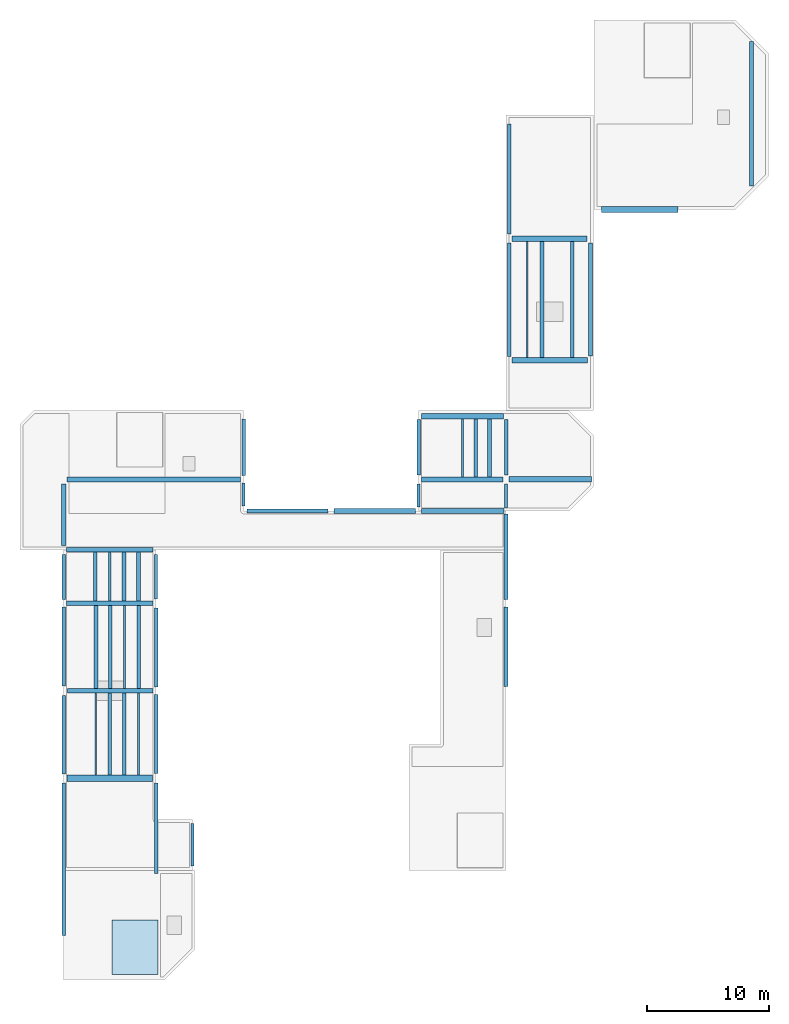
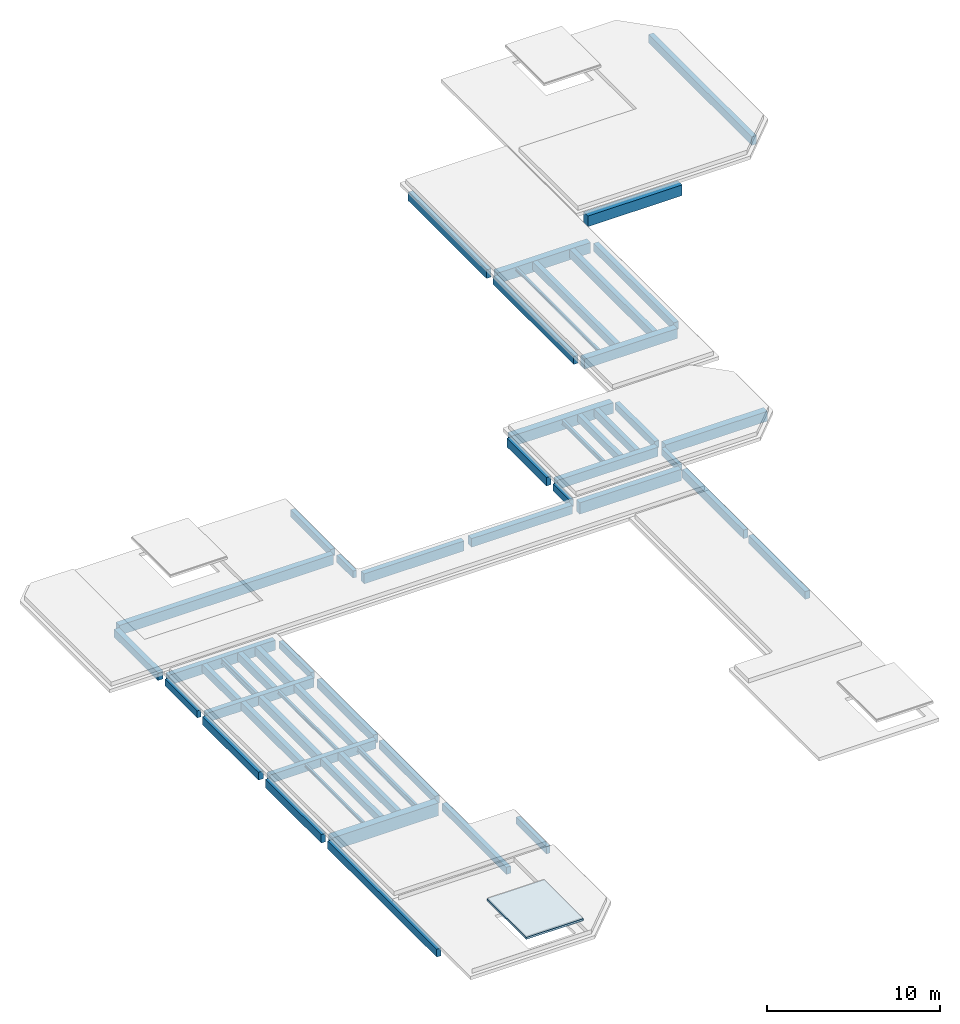
# One storey, part 1 of 3: 54 beams, 1 slab.
"""IFC4 building model written with IfcOpenShell, lengths in metres."""

from ifc_helpers import new_model, si_unit, direction, frame, origin, origin_2d, place, context, subcontext, project, spatial, polyline, rectangle, i_section, outline, extrude, material, layer, layer_set, material_profile, profile_set, type_object, element, save


model = new_model("IFC4")

# Units and contexts
model_context = context("Model", 3, precision=1e-05, world=origin(), true_north=direction((0.0, 1.0)))
body_context = subcontext(model_context, "Body", "Model", "MODEL_VIEW")
ifc_project = project(units=[si_unit("LENGTHUNIT", "METRE"), si_unit("AREAUNIT", "SQUARE_METRE"), si_unit("VOLUMEUNIT", "CUBIC_METRE"), si_unit("PLANEANGLEUNIT", "RADIAN"), si_unit("MASSUNIT", "GRAM", prefix="KILO")], contexts=[model_context])

# Site, building, storey
site_placement = place(None, origin())
site = spatial("IfcSite", under=ifc_project, at=site_placement, CompositionType="ELEMENT")
building_placement = place(site_placement, origin())
building = spatial("IfcBuilding", under=site, at=building_placement, Name="Kelanivale Promenade Academy", CompositionType="ELEMENT")
storey_placement = place(building_placement, frame((0.0, 0.0, 24.199951171875)))
storey = spatial("IfcBuildingStorey", under=building, at=storey_placement, Name="RF", CompositionType="ELEMENT", Elevation=24.199951171875)

# Beams
ifc_material_1 = material(Name="Concrete C35/45", Category="concrete")
ifc_material_profile_1 = material_profile(ifc_material_1, rectangle(XDim=0.39990234375, YDim=0.64990234375, at=origin_2d()), Name="RC-BM 400x650")
ifc_profile_set_1 = profile_set([ifc_material_profile_1], Name="Concrete C35/45")
beam_type_1 = type_object("IfcBeamType", Name="BM-01 RC-BM 400x650", PredefinedType="BEAM", material=ifc_profile_set_1)
beam_1_placement = place(storey_placement, frame((108.64501953125, 74.199951171875, -0.56494140625), z_axis=(1.0, 0.0, 0.0), x_axis=(0.0, 1.0, 0.0)))
element("IfcBeam", 1, at=beam_1_placement, inside=storey, type_object=beam_type_1, Name="RF girder BM-01", PredefinedType="BEAM", context=body_context, shape_type="SweptSolid", body=[
    extrude(rectangle(XDim=0.39990234375, YDim=0.64990234375, at=origin_2d()), origin(), (0.0, 0.0, 1.0), 6.7099609375),
])
ifc_material_profile_2 = material_profile(ifc_material_1, rectangle(XDim=0.39990234375, YDim=0.699951171875, at=origin_2d()), Name="RC-BM 400x700")
ifc_profile_set_2 = profile_set([ifc_material_profile_2], Name="Concrete C35/45")
beam_type_2 = type_object("IfcBeamType", Name="BM-02 RC-BM 400x700", PredefinedType="BEAM", material=ifc_profile_set_2)
beam_2_placement = place(storey_placement, frame((79.469970703125, 74.199951171875, -0.58984375), z_axis=(1.0, 0.0, 0.0), x_axis=(0.0, 1.0, 0.0)))
element("IfcBeam", 2, at=beam_2_placement, inside=storey, type_object=beam_type_2, Name="RF girder BM-02", PredefinedType="BEAM", context=body_context, shape_type="SweptSolid", body=[
    extrude(rectangle(XDim=0.39990234375, YDim=0.699951171875, at=origin_2d()), origin(), (0.0, 0.0, 1.0), 14.284912109375),
])
ifc_material_profile_3 = material_profile(ifc_material_1, rectangle(XDim=0.449951171875, YDim=0.699951171875, at=origin_2d()), Name="RC-BM 450x700")
ifc_profile_set_3 = profile_set([ifc_material_profile_3], Name="Concrete C35/45")
beam_type_3 = type_object("IfcBeamType", Name="BM-03 RC-BM 450x700", PredefinedType="BEAM", material=ifc_profile_set_3)
beam_3_placement = place(storey_placement, frame((115.844970703125, 74.199951171875, -0.58984375), z_axis=(1.0, 0.0, 0.0), x_axis=(0.0, 1.0, 0.0)))
element("IfcBeam", 3, at=beam_3_placement, inside=storey, type_object=beam_type_3, Name="RF girder BM-03", PredefinedType="BEAM", context=body_context, shape_type="SweptSolid", body=[
    extrude(rectangle(XDim=0.449951171875, YDim=0.699951171875, at=origin_2d()), origin(), (0.0, 0.0, 1.0), 6.784912109375),
])
beam_4_placement = place(storey_placement, frame((116.094970703125, 84.0, -0.58984375), z_axis=(1.0, 0.0, 0.0), x_axis=(0.0, 1.0, 0.0)))
element("IfcBeam", 4, at=beam_4_placement, inside=storey, type_object=beam_type_3, Name="RF girder BM-03", PredefinedType="BEAM", context=body_context, shape_type="SweptSolid", body=[
    extrude(rectangle(XDim=0.449951171875, YDim=0.699951171875, at=origin_2d()), origin(), (0.0, 0.0, 1.0), 6.2099609375),
])
ifc_material_profile_4 = material_profile(ifc_material_1, rectangle(XDim=0.449951171875, YDim=0.75, at=origin_2d()), Name="RC-BM 450x750")
ifc_profile_set_4 = profile_set([ifc_material_profile_4], Name="Concrete C35/45")
beam_type_4 = type_object("IfcBeamType", Name="BM-04 RC-BM 450x750", PredefinedType="BEAM", material=ifc_profile_set_4)
beam_5_placement = place(storey_placement, frame((108.6201171875, 79.39990234375, -0.614990234375), z_axis=(1.0, 0.0, 0.0), x_axis=(0.0, 1.0, 0.0)))
element("IfcBeam", 5, at=beam_5_placement, inside=storey, type_object=beam_type_4, Name="RF girder BM-04", PredefinedType="BEAM", context=body_context, shape_type="SweptSolid", body=[
    extrude(rectangle(XDim=0.449951171875, YDim=0.75, at=origin_2d()), origin(), (0.0, 0.0, 1.0), 6.759765625),
])
beam_6_placement = place(storey_placement, frame((116.094970703125, 94.0, -0.614990234375), z_axis=(1.0, 0.0, 0.0), x_axis=(0.0, 1.0, 0.0)))
element("IfcBeam", 6, at=beam_6_placement, inside=storey, type_object=beam_type_4, Name="RF girder BM-04", PredefinedType="BEAM", context=body_context, shape_type="SweptSolid", body=[
    extrude(rectangle(XDim=0.449951171875, YDim=0.75, at=origin_2d()), origin(), (0.0, 0.0, 1.0), 6.18505859375),
])
ifc_material_profile_5 = material_profile(ifc_material_1, rectangle(XDim=0.5, YDim=0.75, at=origin_2d()), Name="RC-BM 500x750")
ifc_profile_set_5 = profile_set([ifc_material_profile_5], Name="Concrete C35/45")
beam_type_5 = type_object("IfcBeamType", Name="BM-06 RC-BM 500x750", PredefinedType="BEAM", material=ifc_profile_set_5)
beam_7_placement = place(storey_placement, frame((123.471923828125, 96.39990234375, -0.614990234375), z_axis=(1.0, 0.0, 0.0), x_axis=(0.0, 1.0, 0.0)))
element("IfcBeam", 7, at=beam_7_placement, inside=storey, type_object=beam_type_5, Name="RF girder BM-06", PredefinedType="BEAM", context=body_context, shape_type="SweptSolid", body=[
    extrude(rectangle(XDim=0.5, YDim=0.75, at=origin_2d()), origin(), (0.0, 0.0, 1.0), 6.282958984375),
])
ifc_material_profile_6 = material_profile(ifc_material_1, rectangle(XDim=0.5, YDim=0.89990234375, at=origin_2d()), Name="RC-BM 500x900")
ifc_profile_set_6 = profile_set([ifc_material_profile_6], Name="Concrete C35/45")
beam_type_6 = type_object("IfcBeamType", Name="BM-08 RC-BM 500x900", PredefinedType="BEAM", material=ifc_profile_set_6)
beam_8_placement = place(storey_placement, frame((79.469970703125, 49.60009765625, -0.68994140625), z_axis=(1.0, 0.0, 0.0), x_axis=(0.0, 1.0, 0.0)))
element("IfcBeam", 8, at=beam_8_placement, inside=storey, type_object=beam_type_6, Name="RF girder BM-08", PredefinedType="BEAM", context=body_context, shape_type="SweptSolid", body=[
    extrude(rectangle(XDim=0.5, YDim=0.89990234375, at=origin_2d()), origin(), (0.0, 0.0, 1.0), 7.034912109375),
])
ifc_material_profile_7 = material_profile(ifc_material_1, rectangle(XDim=0.35009765625, YDim=0.60009765625, at=origin_2d()), Name="RC-BM 350x600")
ifc_profile_set_7 = profile_set([ifc_material_profile_7], Name="Concrete C35/45")
beam_type_7 = type_object("IfcBeamType", Name="BM-09 RC-BM 350x600", PredefinedType="BEAM", material=ifc_profile_set_7)
beam_9_placement = place(storey_placement, frame((79.4951171875, 56.800048828125, -0.5400390625), z_axis=(1.0, 0.0, 0.0), x_axis=(0.0, 1.0, 0.0)))
element("IfcBeam", 9, at=beam_9_placement, inside=storey, type_object=beam_type_7, Name="RF girder BM-09", PredefinedType="BEAM", context=body_context, shape_type="SweptSolid", body=[
    extrude(rectangle(XDim=0.35009765625, YDim=0.60009765625, at=origin_2d()), origin(), (0.0, 0.0, 1.0), 7.059814453125),
])
ifc_material_profile_8 = material_profile(ifc_material_1, rectangle(XDim=0.35009765625, YDim=0.64990234375, at=origin_2d()), Name="RC-BM 350x650")
ifc_profile_set_8 = profile_set([ifc_material_profile_8], Name="Concrete C35/45")
beam_type_8 = type_object("IfcBeamType", Name="BM-10 RC-BM 350x650", PredefinedType="BEAM", material=ifc_profile_set_8)
beam_10_placement = place(storey_placement, frame((79.445068359375, 64.0, -0.56494140625), z_axis=(1.0, 0.0, 0.0), x_axis=(0.0, 1.0, 0.0)))
element("IfcBeam", 10, at=beam_10_placement, inside=storey, type_object=beam_type_8, Name="RF girder BM-10", PredefinedType="BEAM", context=body_context, shape_type="SweptSolid", body=[
    extrude(rectangle(XDim=0.35009765625, YDim=0.64990234375, at=origin_2d()), origin(), (0.0, 0.0, 1.0), 7.10986328125),
])
ifc_material_profile_9 = material_profile(ifc_material_1, rectangle(XDim=0.35009765625, YDim=0.699951171875, at=origin_2d()), Name="RC-BM 350x700")
ifc_profile_set_9 = profile_set([ifc_material_profile_9], Name="Concrete C35/45")
beam_type_9 = type_object("IfcBeamType", Name="BM-11 RC-BM 350x700", PredefinedType="BEAM", material=ifc_profile_set_9)
beam_11_placement = place(storey_placement, frame((79.445068359375, 68.39990234375, -0.58984375), z_axis=(1.0, 0.0, 0.0), x_axis=(0.0, 1.0, 0.0)))
element("IfcBeam", 11, at=beam_11_placement, inside=storey, type_object=beam_type_9, Name="RF girder BM-11", PredefinedType="BEAM", context=body_context, shape_type="SweptSolid", body=[
    extrude(rectangle(XDim=0.35009765625, YDim=0.699951171875, at=origin_2d()), origin(), (0.0, 0.0, 1.0), 7.0849609375),
])
beam_12_placement = place(storey_placement, frame((94.294921875, 71.60009765625, -0.58984375), z_axis=(1.0, 0.0, 0.0), x_axis=(0.0, 1.0, 0.0)))
element("IfcBeam", 12, at=beam_12_placement, inside=storey, type_object=beam_type_9, Name="RF girder BM-11", PredefinedType="BEAM", context=body_context, shape_type="SweptSolid", body=[
    extrude(rectangle(XDim=0.35009765625, YDim=0.699951171875, at=origin_2d()), origin(), (0.0, 0.0, 1.0), 6.66015625),
])
ifc_material_profile_10 = material_profile(ifc_material_1, rectangle(XDim=0.39990234375, YDim=0.60009765625, at=origin_2d()), Name="RC-BM 400x600")
ifc_profile_set_10 = profile_set([ifc_material_profile_10], Name="Concrete C35/45")
beam_type_10 = type_object("IfcBeamType", Name="BM-12 RC-BM 400x600", PredefinedType="BEAM", material=ifc_profile_set_10)
beam_13_placement = place(storey_placement, frame((101.445068359375, 71.60009765625, -0.5400390625), z_axis=(1.0, 0.0, 0.0), x_axis=(0.0, 1.0, 0.0)))
element("IfcBeam", 13, at=beam_13_placement, inside=storey, type_object=beam_type_10, Name="RF girder BM-12", PredefinedType="BEAM", context=body_context, shape_type="SweptSolid", body=[
    extrude(rectangle(XDim=0.39990234375, YDim=0.60009765625, at=origin_2d()), origin(), (0.0, 0.0, 1.0), 6.7099609375),
])
ifc_material_profile_11 = material_profile(ifc_material_1, rectangle(XDim=0.39990234375, YDim=0.800048828125, at=origin_2d()), Name="RC-BM 400x800")
ifc_profile_set_11 = profile_set([ifc_material_profile_11], Name="Concrete C35/45")
beam_type_11 = type_object("IfcBeamType", Name="BM-14 RC-BM 400x800", PredefinedType="BEAM", material=ifc_profile_set_11)
beam_14_placement = place(storey_placement, frame((108.64501953125, 71.60009765625, -0.639892578125), z_axis=(1.0, 0.0, 0.0), x_axis=(0.0, 1.0, 0.0)))
element("IfcBeam", 14, at=beam_14_placement, inside=storey, type_object=beam_type_11, Name="RF girder BM-14", PredefinedType="BEAM", context=body_context, shape_type="SweptSolid", body=[
    extrude(rectangle(XDim=0.39990234375, YDim=0.800048828125, at=origin_2d()), origin(), (0.0, 0.0, 1.0), 6.784912109375),
])
ifc_material_profile_12 = material_profile(ifc_material_1, rectangle(XDim=0.300048828125, YDim=0.5, at=origin_2d()), Name="RC-BM 300x500")
ifc_profile_set_12 = profile_set([ifc_material_profile_12], Name="Concrete C35/45")
beam_type_12 = type_object("IfcBeamType", Name="JS-01 RC-BM 300x500", PredefinedType="JOIST", material=ifc_profile_set_12)
beam_15_placement = place(storey_placement, frame((86.800048828125, 41.77001953125, -0.489990234375), z_axis=(0.0, 1.0, 0.0), x_axis=(-1.0, 0.0, 0.0)))
element("IfcBeam", 15, at=beam_15_placement, inside=storey, type_object=beam_type_12, Name="RF beam JS-01", PredefinedType="JOIST", context=body_context, shape_type="SweptSolid", body=[
    extrude(rectangle(XDim=0.300048828125, YDim=0.5, at=origin_2d()), origin(), (0.0, 0.0, 1.0), 7.43505859375),
])
beam_16_placement = place(storey_placement, frame((94.0, 74.52001953125, -0.489990234375), z_axis=(0.0, 1.0, 0.0), x_axis=(-1.0, 0.0, 0.0)))
element("IfcBeam", 16, at=beam_16_placement, inside=storey, type_object=beam_type_12, Name="RF beam JS-01", PredefinedType="JOIST", context=body_context, shape_type="SweptSolid", body=[
    extrude(rectangle(XDim=0.300048828125, YDim=0.5, at=origin_2d()), origin(), (0.0, 0.0, 1.0), 4.635009765625),
])
beam_17_placement = place(storey_placement, frame((115.60009765625, 74.570068359375, -0.489990234375), z_axis=(0.0, 1.0, 0.0), x_axis=(-1.0, 0.0, 0.0)))
element("IfcBeam", 17, at=beam_17_placement, inside=storey, type_object=beam_type_12, Name="RF beam JS-01", PredefinedType="JOIST", context=body_context, shape_type="SweptSolid", body=[
    extrude(rectangle(XDim=0.300048828125, YDim=0.5, at=origin_2d()), origin(), (0.0, 0.0, 1.0), 4.559814453125),
])
beam_18_placement = place(storey_placement, frame((83.0, 49.85009765625, -0.489990234375), z_axis=(0.0, 1.0, 0.0), x_axis=(-1.0, 0.0, 0.0)))
element("IfcBeam", 18, at=beam_18_placement, inside=storey, type_object=beam_type_12, Name="RF secondary sub-beam JS-01", PredefinedType="JOIST", context=body_context, shape_type="SweptSolid", body=[
    extrude(rectangle(XDim=0.300048828125, YDim=0.5, at=origin_2d()), origin(), (0.0, 0.0, 1.0), 6.77490234375),
])
beam_19_placement = place(storey_placement, frame((85.3779296875, 56.97509765625, -0.489990234375), z_axis=(0.0, 1.0, 0.0), x_axis=(-1.0, 0.0, 0.0)))
element("IfcBeam", 19, at=beam_19_placement, inside=storey, type_object=beam_type_12, Name="RF secondary sub-beam JS-01", PredefinedType="JOIST", context=body_context, shape_type="SweptSolid", body=[
    extrude(rectangle(XDim=0.300048828125, YDim=0.5, at=origin_2d()), origin(), (0.0, 0.0, 1.0), 6.849853515625),
])
beam_20_placement = place(storey_placement, frame((113.117919921875, 74.39990234375, -0.489990234375), z_axis=(0.0, 1.0, 0.0), x_axis=(-1.0, 0.0, 0.0)))
element("IfcBeam", 20, at=beam_20_placement, inside=storey, type_object=beam_type_12, Name="RF secondary sub-beam JS-01", PredefinedType="JOIST", context=body_context, shape_type="SweptSolid", body=[
    extrude(rectangle(XDim=0.300048828125, YDim=0.5, at=origin_2d()), origin(), (0.0, 0.0, 1.0), 4.775146484375),
])
ifc_material_profile_13 = material_profile(ifc_material_1, rectangle(XDim=0.300048828125, YDim=0.550048828125, at=origin_2d()), Name="RC-BM 300x550")
ifc_profile_set_13 = profile_set([ifc_material_profile_13], Name="Concrete C35/45")
beam_type_13 = type_object("IfcBeamType", Name="JS-02 RC-BM 300x550", PredefinedType="JOIST", material=ifc_profile_set_13)
beam_21_placement = place(storey_placement, frame((79.199951171875, 36.64501953125, -0.514892578125), z_axis=(0.0, 1.0, 0.0), x_axis=(-1.0, 0.0, 0.0)))
element("IfcBeam", 21, at=beam_21_placement, inside=storey, type_object=beam_type_13, Name="RF beam JS-02", PredefinedType="JOIST", context=body_context, shape_type="SweptSolid", body=[
    extrude(rectangle(XDim=0.300048828125, YDim=0.550048828125, at=origin_2d()), origin(), (0.0, 0.0, 1.0), 12.5849609375),
])
beam_22_placement = place(storey_placement, frame((86.800048828125, 49.9951171875, -0.514892578125), z_axis=(0.0, 1.0, 0.0), x_axis=(-1.0, 0.0, 0.0)))
element("IfcBeam", 22, at=beam_22_placement, inside=storey, type_object=beam_type_13, Name="RF beam JS-02", PredefinedType="JOIST", context=body_context, shape_type="SweptSolid", body=[
    extrude(rectangle(XDim=0.300048828125, YDim=0.550048828125, at=origin_2d()), origin(), (0.0, 0.0, 1.0), 6.48486328125),
])
beam_23_placement = place(storey_placement, frame((115.85009765625, 84.320068359375, -0.514892578125), z_axis=(0.0, 1.0, 0.0), x_axis=(-1.0, 0.0, 0.0)))
element("IfcBeam", 23, at=beam_23_placement, inside=storey, type_object=beam_type_13, Name="RF beam JS-02", PredefinedType="JOIST", context=body_context, shape_type="SweptSolid", body=[
    extrude(rectangle(XDim=0.300048828125, YDim=0.550048828125, at=origin_2d()), origin(), (0.0, 0.0, 1.0), 9.309814453125),
])
beam_24_placement = place(storey_placement, frame((84.16796875, 49.85009765625, -0.514892578125), z_axis=(0.0, 1.0, 0.0), x_axis=(-1.0, 0.0, 0.0)))
element("IfcBeam", 24, at=beam_24_placement, inside=storey, type_object=beam_type_13, Name="RF secondary sub-beam JS-02", PredefinedType="JOIST", context=body_context, shape_type="SweptSolid", body=[
    extrude(rectangle(XDim=0.300048828125, YDim=0.550048828125, at=origin_2d()), origin(), (0.0, 0.0, 1.0), 6.77490234375),
])
beam_25_placement = place(storey_placement, frame((81.806884765625, 64.175048828125, -0.514892578125), z_axis=(0.0, 1.0, 0.0), x_axis=(-1.0, 0.0, 0.0)))
element("IfcBeam", 25, at=beam_25_placement, inside=storey, type_object=beam_type_13, Name="RF secondary sub-beam JS-02", PredefinedType="JOIST", context=body_context, shape_type="SweptSolid", body=[
    extrude(rectangle(XDim=0.300048828125, YDim=0.550048828125, at=origin_2d()), origin(), (0.0, 0.0, 1.0), 4.050048828125),
])
beam_26_placement = place(storey_placement, frame((114.237060546875, 74.39990234375, -0.514892578125), z_axis=(0.0, 1.0, 0.0), x_axis=(-1.0, 0.0, 0.0)))
element("IfcBeam", 26, at=beam_26_placement, inside=storey, type_object=beam_type_13, Name="RF secondary sub-beam JS-02", PredefinedType="JOIST", context=body_context, shape_type="SweptSolid", body=[
    extrude(rectangle(XDim=0.300048828125, YDim=0.550048828125, at=origin_2d()), origin(), (0.0, 0.0, 1.0), 4.775146484375),
])
ifc_material_profile_14 = material_profile(ifc_material_1, rectangle(XDim=0.300048828125, YDim=0.60009765625, at=origin_2d()), Name="RC-BM 300x600")
ifc_profile_set_14 = profile_set([ifc_material_profile_14], Name="Concrete C35/45")
beam_type_14 = type_object("IfcBeamType", Name="JS-03 RC-BM 300x600", PredefinedType="JOIST", material=ifc_profile_set_14)
beam_27_placement = place(storey_placement, frame((79.199951171875, 49.969970703125, -0.5400390625), z_axis=(0.0, 1.0, 0.0), x_axis=(-1.0, 0.0, 0.0)))
element("IfcBeam", 27, at=beam_27_placement, inside=storey, type_object=beam_type_14, Name="RF beam JS-03", PredefinedType="JOIST", context=body_context, shape_type="SweptSolid", body=[
    extrude(rectangle(XDim=0.300048828125, YDim=0.60009765625, at=origin_2d()), origin(), (0.0, 0.0, 1.0), 6.43505859375),
])
beam_28_placement = place(storey_placement, frame((86.800048828125, 57.1201171875, -0.5400390625), z_axis=(0.0, 1.0, 0.0), x_axis=(-1.0, 0.0, 0.0)))
element("IfcBeam", 28, at=beam_28_placement, inside=storey, type_object=beam_type_14, Name="RF beam JS-03", PredefinedType="JOIST", context=body_context, shape_type="SweptSolid", body=[
    extrude(rectangle(XDim=0.300048828125, YDim=0.60009765625, at=origin_2d()), origin(), (0.0, 0.0, 1.0), 6.509765625),
])
beam_29_placement = place(storey_placement, frame((108.39990234375, 74.570068359375, -0.5400390625), z_axis=(0.0, 1.0, 0.0), x_axis=(-1.0, 0.0, 0.0)))
element("IfcBeam", 29, at=beam_29_placement, inside=storey, type_object=beam_type_14, Name="RF beam JS-03", PredefinedType="JOIST", context=body_context, shape_type="SweptSolid", body=[
    extrude(rectangle(XDim=0.300048828125, YDim=0.60009765625, at=origin_2d()), origin(), (0.0, 0.0, 1.0), 4.559814453125),
])
beam_30_placement = place(storey_placement, frame((115.85009765625, 94.3701171875, -0.5400390625), z_axis=(0.0, 1.0, 0.0), x_axis=(-1.0, 0.0, 0.0)))
element("IfcBeam", 30, at=beam_30_placement, inside=storey, type_object=beam_type_14, Name="RF beam JS-03", PredefinedType="JOIST", context=body_context, shape_type="SweptSolid", body=[
    extrude(rectangle(XDim=0.300048828125, YDim=0.60009765625, at=origin_2d()), origin(), (0.0, 0.0, 1.0), 9.059814453125),
])
ifc_material_profile_15 = material_profile(ifc_material_1, rectangle(XDim=0.320068359375, YDim=0.550048828125, at=origin_2d()), Name="RC-BM 320x550")
ifc_profile_set_15 = profile_set([ifc_material_profile_15], Name="Concrete C35/45")
beam_type_15 = type_object("IfcBeamType", Name="JS-04 RC-BM 320x550", PredefinedType="JOIST", material=ifc_profile_set_15)
beam_31_placement = place(storey_placement, frame((79.199951171875, 57.195068359375, -0.514892578125), z_axis=(0.0, 1.0, 0.0), x_axis=(-1.0, 0.0, 0.0)))
element("IfcBeam", 31, at=beam_31_placement, inside=storey, type_object=beam_type_15, Name="RF beam JS-04", PredefinedType="JOIST", context=body_context, shape_type="SweptSolid", body=[
    extrude(rectangle(XDim=0.320068359375, YDim=0.550048828125, at=origin_2d()), origin(), (0.0, 0.0, 1.0), 6.48486328125),
])
beam_32_placement = place(storey_placement, frame((115.60009765625, 57.169921875, -0.514892578125), z_axis=(0.0, 1.0, 0.0), x_axis=(-1.0, 0.0, 0.0)))
element("IfcBeam", 32, at=beam_32_placement, inside=storey, type_object=beam_type_15, Name="RF beam JS-04", PredefinedType="JOIST", context=body_context, shape_type="SweptSolid", body=[
    extrude(rectangle(XDim=0.320068359375, YDim=0.550048828125, at=origin_2d()), origin(), (0.0, 0.0, 1.0), 6.53515625),
])
beam_33_placement = place(storey_placement, frame((122.550048828125, 84.3701171875, -0.514892578125), z_axis=(0.0, 1.0, 0.0), x_axis=(-1.0, 0.0, 0.0)))
element("IfcBeam", 33, at=beam_33_placement, inside=storey, type_object=beam_type_15, Name="RF beam JS-04", PredefinedType="JOIST", context=body_context, shape_type="SweptSolid", body=[
    extrude(rectangle(XDim=0.320068359375, YDim=0.550048828125, at=origin_2d()), origin(), (0.0, 0.0, 1.0), 9.259765625),
])
beam_34_placement = place(storey_placement, frame((81.847900390625, 56.97509765625, -0.514892578125), z_axis=(0.0, 1.0, 0.0), x_axis=(-1.0, 0.0, 0.0)))
element("IfcBeam", 34, at=beam_34_placement, inside=storey, type_object=beam_type_15, Name="RF secondary sub-beam JS-04", PredefinedType="JOIST", context=body_context, shape_type="SweptSolid", body=[
    extrude(rectangle(XDim=0.320068359375, YDim=0.550048828125, at=origin_2d()), origin(), (0.0, 0.0, 1.0), 6.849853515625),
])
beam_35_placement = place(storey_placement, frame((84.16796875, 64.175048828125, -0.514892578125), z_axis=(0.0, 1.0, 0.0), x_axis=(-1.0, 0.0, 0.0)))
element("IfcBeam", 35, at=beam_35_placement, inside=storey, type_object=beam_type_15, Name="RF secondary sub-beam JS-04", PredefinedType="JOIST", context=body_context, shape_type="SweptSolid", body=[
    extrude(rectangle(XDim=0.320068359375, YDim=0.550048828125, at=origin_2d()), origin(), (0.0, 0.0, 1.0), 4.050048828125),
])
beam_36_placement = place(storey_placement, frame((118.569091796875, 84.22509765625, -0.514892578125), z_axis=(0.0, 1.0, 0.0), x_axis=(-1.0, 0.0, 0.0)))
element("IfcBeam", 36, at=beam_36_placement, inside=storey, type_object=beam_type_15, Name="RF secondary sub-beam JS-04", PredefinedType="JOIST", context=body_context, shape_type="SweptSolid", body=[
    extrude(rectangle(XDim=0.320068359375, YDim=0.550048828125, at=origin_2d()), origin(), (0.0, 0.0, 1.0), 9.5498046875),
])
ifc_material_profile_16 = material_profile(ifc_material_1, rectangle(XDim=0.320068359375, YDim=0.60009765625, at=origin_2d()), Name="RC-BM 320x600")
ifc_profile_set_16 = profile_set([ifc_material_profile_16], Name="Concrete C35/45")
beam_type_16 = type_object("IfcBeamType", Name="JS-05 RC-BM 320x600", PredefinedType="JOIST", material=ifc_profile_set_16)
beam_37_placement = place(storey_placement, frame((115.60009765625, 64.294921875, -0.5400390625), z_axis=(0.0, 1.0, 0.0), x_axis=(-1.0, 0.0, 0.0)))
element("IfcBeam", 37, at=beam_37_placement, inside=storey, type_object=beam_type_16, Name="RF beam JS-05", PredefinedType="JOIST", context=body_context, shape_type="SweptSolid", body=[
    extrude(rectangle(XDim=0.320068359375, YDim=0.60009765625, at=origin_2d()), origin(), (0.0, 0.0, 1.0), 7.06005859375),
])
beam_38_placement = place(storey_placement, frame((135.800048828125, 98.320068359375, -0.5400390625), z_axis=(0.0, 1.0, 0.0), x_axis=(-1.0, 0.0, 0.0)))
element("IfcBeam", 38, at=beam_38_placement, inside=storey, type_object=beam_type_16, Name="RF beam JS-05", PredefinedType="JOIST", context=body_context, shape_type="SweptSolid", body=[
    extrude(rectangle(XDim=0.320068359375, YDim=0.60009765625, at=origin_2d()), origin(), (0.0, 0.0, 1.0), 11.909912109375),
])
beam_39_placement = place(storey_placement, frame((83.02490234375, 56.97509765625, -0.5400390625), z_axis=(0.0, 1.0, 0.0), x_axis=(-1.0, 0.0, 0.0)))
element("IfcBeam", 39, at=beam_39_placement, inside=storey, type_object=beam_type_16, Name="RF secondary sub-beam JS-05", PredefinedType="JOIST", context=body_context, shape_type="SweptSolid", body=[
    extrude(rectangle(XDim=0.320068359375, YDim=0.60009765625, at=origin_2d()), origin(), (0.0, 0.0, 1.0), 6.849853515625),
])
beam_40_placement = place(storey_placement, frame((85.34912109375, 64.175048828125, -0.5400390625), z_axis=(0.0, 1.0, 0.0), x_axis=(-1.0, 0.0, 0.0)))
element("IfcBeam", 40, at=beam_40_placement, inside=storey, type_object=beam_type_16, Name="RF secondary sub-beam JS-05", PredefinedType="JOIST", context=body_context, shape_type="SweptSolid", body=[
    extrude(rectangle(XDim=0.320068359375, YDim=0.60009765625, at=origin_2d()), origin(), (0.0, 0.0, 1.0), 4.050048828125),
])
beam_41_placement = place(storey_placement, frame((121.04296875, 84.22509765625, -0.5400390625), z_axis=(0.0, 1.0, 0.0), x_axis=(-1.0, 0.0, 0.0)))
element("IfcBeam", 41, at=beam_41_placement, inside=storey, type_object=beam_type_16, Name="RF secondary sub-beam JS-05", PredefinedType="JOIST", context=body_context, shape_type="SweptSolid", body=[
    extrude(rectangle(XDim=0.320068359375, YDim=0.60009765625, at=origin_2d()), origin(), (0.0, 0.0, 1.0), 9.5498046875),
])
ifc_material_profile_17 = material_profile(ifc_material_1, rectangle(XDim=0.35009765625, YDim=0.550048828125, at=origin_2d()), Name="RC-BM 350x550")
ifc_profile_set_17 = profile_set([ifc_material_profile_17], Name="Concrete C35/45")
beam_type_17 = type_object("IfcBeamType", Name="JS-06 RC-BM 350x550", PredefinedType="JOIST", material=ifc_profile_set_17)
beam_42_placement = place(storey_placement, frame((79.199951171875, 68.77001953125, -0.514892578125), z_axis=(0.0, 1.0, 0.0), x_axis=(-1.0, 0.0, 0.0)))
element("IfcBeam", 42, at=beam_42_placement, inside=storey, type_object=beam_type_17, Name="RF beam JS-06", PredefinedType="JOIST", context=body_context, shape_type="SweptSolid", body=[
    extrude(rectangle(XDim=0.35009765625, YDim=0.550048828125, at=origin_2d()), origin(), (0.0, 0.0, 1.0), 5.06005859375),
])
ifc_material_profile_18 = material_profile(ifc_material_1, rectangle(XDim=0.25, YDim=0.5, at=origin_2d()), Name="RC-BM 250x500")
ifc_profile_set_18 = profile_set([ifc_material_profile_18], Name="Concrete C35/45")
beam_type_18 = type_object("IfcBeamType", Name="LN-02 RC-BM 250x500", PredefinedType="LINTEL", material=ifc_profile_set_18)
beam_43_placement = place(storey_placement, frame((79.199951171875, 64.320068359375, -0.489990234375), z_axis=(0.0, 1.0, 0.0), x_axis=(-1.0, 0.0, 0.0)))
element("IfcBeam", 43, at=beam_43_placement, inside=storey, type_object=beam_type_18, Name="RF beam LN-02", PredefinedType="LINTEL", context=body_context, shape_type="SweptSolid", body=[
    extrude(rectangle(XDim=0.25, YDim=0.5, at=origin_2d()), origin(), (0.0, 0.0, 1.0), 3.7099609375),
])
beam_44_placement = place(storey_placement, frame((86.800048828125, 64.3701171875, -0.489990234375), z_axis=(0.0, 1.0, 0.0), x_axis=(-1.0, 0.0, 0.0)))
element("IfcBeam", 44, at=beam_44_placement, inside=storey, type_object=beam_type_18, Name="RF beam LN-02", PredefinedType="LINTEL", context=body_context, shape_type="SweptSolid", body=[
    extrude(rectangle(XDim=0.25, YDim=0.5, at=origin_2d()), origin(), (0.0, 0.0, 1.0), 3.659912109375),
])
beam_45_placement = place(storey_placement, frame((89.800048828125, 42.39501953125, -0.489990234375), z_axis=(0.0, 1.0, 0.0), x_axis=(-1.0, 0.0, 0.0)))
element("IfcBeam", 45, at=beam_45_placement, inside=storey, type_object=beam_type_18, Name="RF beam LN-02", PredefinedType="LINTEL", context=body_context, shape_type="SweptSolid", body=[
    extrude(rectangle(XDim=0.25, YDim=0.5, at=origin_2d()), origin(), (0.0, 0.0, 1.0), 3.48486328125),
])
beam_46_placement = place(storey_placement, frame((94.0, 71.9951171875, -0.489990234375), z_axis=(0.0, 1.0, 0.0), x_axis=(-1.0, 0.0, 0.0)))
element("IfcBeam", 46, at=beam_46_placement, inside=storey, type_object=beam_type_18, Name="RF beam LN-02", PredefinedType="LINTEL", context=body_context, shape_type="SweptSolid", body=[
    extrude(rectangle(XDim=0.25, YDim=0.5, at=origin_2d()), origin(), (0.0, 0.0, 1.0), 1.884765625),
])
beam_47_placement = place(storey_placement, frame((108.39990234375, 71.919921875, -0.489990234375), z_axis=(0.0, 1.0, 0.0), x_axis=(-1.0, 0.0, 0.0)))
element("IfcBeam", 47, at=beam_47_placement, inside=storey, type_object=beam_type_18, Name="RF beam LN-02", PredefinedType="LINTEL", context=body_context, shape_type="SweptSolid", body=[
    extrude(rectangle(XDim=0.25, YDim=0.5, at=origin_2d()), origin(), (0.0, 0.0, 1.0), 1.91015625),
])
beam_48_placement = place(storey_placement, frame((115.60009765625, 71.844970703125, -0.489990234375), z_axis=(0.0, 1.0, 0.0), x_axis=(-1.0, 0.0, 0.0)))
element("IfcBeam", 48, at=beam_48_placement, inside=storey, type_object=beam_type_18, Name="RF beam LN-02", PredefinedType="LINTEL", context=body_context, shape_type="SweptSolid", body=[
    extrude(rectangle(XDim=0.25, YDim=0.5, at=origin_2d()), origin(), (0.0, 0.0, 1.0), 1.985107421875),
])
ifc_material_2 = material(Name="Steel S355", Category="steel")
ifc_material_profile_19 = material_profile(ifc_material_2, i_section(OverallWidth=0.13330078125, OverallDepth=0.203125, WebThickness=0.005615234375, FlangeThickness=0.0078125, FilletRadius=0.007568359375, at=origin_2d()), Name="UB 203x133x25")
ifc_profile_set_19 = profile_set([ifc_material_profile_19], Name="Steel S355")
beam_type_19 = type_object("IfcBeamType", Name="SB-01 UB 203x133x25", PredefinedType="JOIST", material=ifc_profile_set_19)
beam_49_placement = place(storey_placement, frame((81.83203125, 49.85009765625, -0.342041015625), z_axis=(0.0, 1.0, 0.0), x_axis=(-1.0, 0.0, 0.0)))
element("IfcBeam", 49, at=beam_49_placement, inside=storey, type_object=beam_type_19, Name="RF secondary sub-beam SB-01", PredefinedType="JOIST", context=body_context, shape_type="SweptSolid", body=[
    extrude(i_section(OverallWidth=0.13330078125, OverallDepth=0.203125, WebThickness=0.005615234375, FlangeThickness=0.0078125, FilletRadius=0.007568359375, at=origin_2d()), origin(), (0.0, 0.0, 1.0), 6.77490234375),
])
beam_50_placement = place(storey_placement, frame((117.33203125, 84.22509765625, -0.342041015625), z_axis=(0.0, 1.0, 0.0), x_axis=(-1.0, 0.0, 0.0)))
element("IfcBeam", 50, at=beam_50_placement, inside=storey, type_object=beam_type_19, Name="RF secondary sub-beam SB-01", PredefinedType="JOIST", context=body_context, shape_type="SweptSolid", body=[
    extrude(i_section(OverallWidth=0.13330078125, OverallDepth=0.203125, WebThickness=0.005615234375, FlangeThickness=0.0078125, FilletRadius=0.007568359375, at=origin_2d()), origin(), (0.0, 0.0, 1.0), 9.5498046875),
])
ifc_material_profile_20 = material_profile(ifc_material_2, i_section(OverallWidth=0.14599609375, OverallDepth=0.25146484375, WebThickness=0.006103515625, FlangeThickness=0.008544921875, FilletRadius=0.007568359375, at=origin_2d()), Name="UB 254x146x31")
ifc_profile_set_20 = profile_set([ifc_material_profile_20], Name="Steel S355")
beam_type_20 = type_object("IfcBeamType", Name="SB-02 UB 254x146x31", PredefinedType="JOIST", material=ifc_profile_set_20)
beam_51_placement = place(storey_placement, frame((84.201904296875, 56.97509765625, -0.365966796875), z_axis=(0.0, 1.0, 0.0), x_axis=(-1.0, 0.0, 0.0)))
element("IfcBeam", 51, at=beam_51_placement, inside=storey, type_object=beam_type_20, Name="RF secondary sub-beam SB-02", PredefinedType="JOIST", context=body_context, shape_type="SweptSolid", body=[
    extrude(i_section(OverallWidth=0.14599609375, OverallDepth=0.25146484375, WebThickness=0.006103515625, FlangeThickness=0.008544921875, FilletRadius=0.007568359375, at=origin_2d()), origin(), (0.0, 0.0, 1.0), 6.849853515625),
])
ifc_material_profile_21 = material_profile(ifc_material_2, i_section(OverallWidth=0.1650390625, OverallDepth=0.303466796875, WebThickness=0.006103515625, FlangeThickness=0.01025390625, FilletRadius=0.0087890625, at=origin_2d()), Name="UB 305x165x40")
ifc_profile_set_21 = profile_set([ifc_material_profile_21], Name="Steel S355")
beam_type_21 = type_object("IfcBeamType", Name="SB-03 UB 305x165x40", PredefinedType="BEAM", material=ifc_profile_set_21)
beam_52_placement = place(storey_placement, frame((112.0, 74.39990234375, -0.391845703125), z_axis=(0.0, 1.0, 0.0), x_axis=(-1.0, 0.0, 0.0)))
element("IfcBeam", 52, at=beam_52_placement, inside=storey, type_object=beam_type_21, Name="RF secondary sub-beam SB-03", PredefinedType="BEAM", context=body_context, shape_type="SweptSolid", body=[
    extrude(i_section(OverallWidth=0.1650390625, OverallDepth=0.303466796875, WebThickness=0.006103515625, FlangeThickness=0.01025390625, FilletRadius=0.0087890625, at=origin_2d()), origin(), (0.0, 0.0, 1.0), 4.775146484375),
])
ifc_material_profile_22 = material_profile(ifc_material_2, i_section(OverallWidth=0.17138671875, OverallDepth=0.35498046875, WebThickness=0.00732421875, FlangeThickness=0.011474609375, FilletRadius=0.01025390625, at=origin_2d()), Name="UB 356x171x51")
ifc_profile_set_22 = profile_set([ifc_material_profile_22], Name="Steel S355")
beam_type_22 = type_object("IfcBeamType", Name="SB-04 UB 356x171x51", PredefinedType="BEAM", material=ifc_profile_set_22)
beam_53_placement = place(storey_placement, frame((85.3369140625, 49.85009765625, -0.4169921875), z_axis=(0.0, 1.0, 0.0), x_axis=(-1.0, 0.0, 0.0)))
element("IfcBeam", 53, at=beam_53_placement, inside=storey, type_object=beam_type_22, Name="RF secondary sub-beam SB-04", PredefinedType="BEAM", context=body_context, shape_type="SweptSolid", body=[
    extrude(i_section(OverallWidth=0.17138671875, OverallDepth=0.35498046875, WebThickness=0.00732421875, FlangeThickness=0.011474609375, FilletRadius=0.01025390625, at=origin_2d()), origin(), (0.0, 0.0, 1.0), 6.77490234375),
])
ifc_material_profile_23 = material_profile(ifc_material_2, i_section(OverallWidth=0.177978515625, OverallDepth=0.406494140625, WebThickness=0.0078125, FlangeThickness=0.0126953125, FilletRadius=0.01025390625, at=origin_2d()), Name="UB 406x178x60")
ifc_profile_set_23 = profile_set([ifc_material_profile_23], Name="Steel S355")
beam_type_23 = type_object("IfcBeamType", Name="SB-05 UB 406x178x60", PredefinedType="BEAM", material=ifc_profile_set_23)
beam_54_placement = place(storey_placement, frame((82.987060546875, 64.175048828125, -0.44287109375), z_axis=(0.0, 1.0, 0.0), x_axis=(-1.0, 0.0, 0.0)))
element("IfcBeam", 54, at=beam_54_placement, inside=storey, type_object=beam_type_23, Name="RF secondary sub-beam SB-05", PredefinedType="BEAM", context=body_context, shape_type="SweptSolid", body=[
    extrude(i_section(OverallWidth=0.177978515625, OverallDepth=0.406494140625, WebThickness=0.0078125, FlangeThickness=0.0126953125, FilletRadius=0.01025390625, at=origin_2d()), origin(), (0.0, 0.0, 1.0), 4.050048828125),
])

# Slab
ifc_layer = layer(ifc_material_1, 0.139892578125)
ifc_layer_set = layer_set([ifc_layer], Name="Concrete C35/45")
slab_type = type_object("IfcSlabType", Name="RS-03 Slab 140mm", PredefinedType="ROOF", material=ifc_layer_set)
slab_placement = place(storey_placement, frame((0.0, 0.0, 0.9599609375)))
element("IfcSlab", 55, at=slab_placement, inside=storey, type_object=slab_type, Name="CORE-1 lift overrun roof slab", PredefinedType="ROOF", context=body_context, shape_type="SweptSolid", body=[
    extrude(outline(polyline([(83.155029296875, 33.43505859375), (86.965087890625, 33.43505859375), (86.965087890625, 37.955078125), (83.155029296875, 37.955078125), (83.155029296875, 33.43505859375)])), origin(), (0.0, 0.0, 1.0), 0.14013671875),
])

save(model, "model.ifc")
